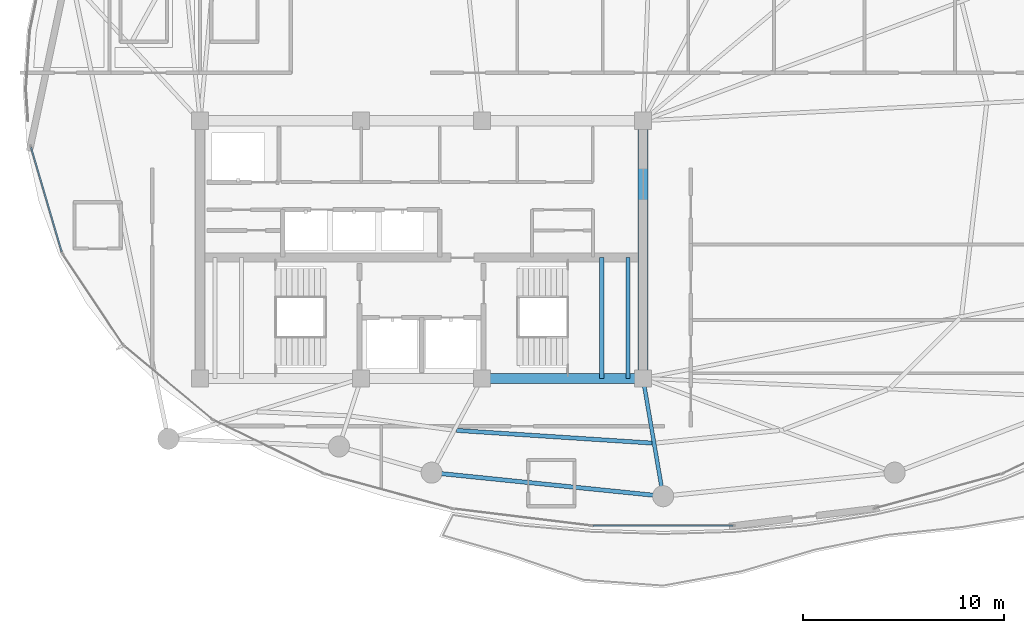
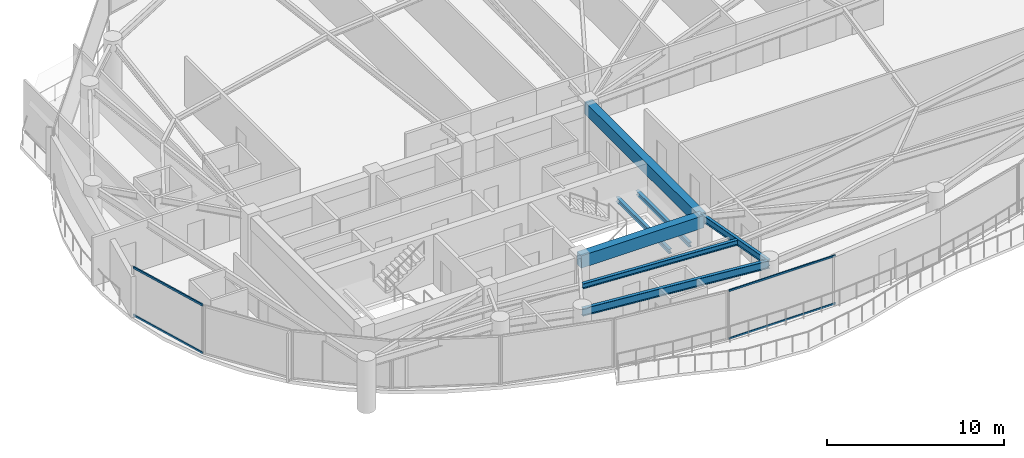
# One storey, part 6 of 29: 7 beams, 4 members, 2 elements without a shape of their own.
"""IFC4 building model written with IfcOpenShell, lengths in metres."""

import ifcopenshell
import ifcopenshell.guid

model = None  # the IFC model being written
_history = None  # IfcOwnerHistory: only IFC2X3 demands one
_inside = {}  # id of a spatial element -> (the spatial element, [elements in it])
_under = {}  # id of a project, library or spatial element -> (it, [spatial elements below it])
_declared = {}  # id of a project -> (the project, [libraries it declares])
_typed = {}  # id of a type object -> (the type object, [elements of that type])
_made_of = {}  # id of a material, layer set ... -> (it, [elements and type objects made of it])


def new_model(schema):
    """Start an empty IFC model of exactly this schema.

    Asked for "IFC4X3", IfcOpenShell would pick the latest addendum, in which some entities
    have other attributes; the version numbers below select the first issue.
    IFC2X3 requires an IfcOwnerHistory on every rooted entity: one is made here for all.
    """
    global model, _history
    if schema == "IFC4X3":
        model = ifcopenshell.file(schema_version=(4, 3, 0, 0))
    else:
        model = ifcopenshell.file(schema=schema)
    _inside.clear()
    _under.clear()
    _declared.clear()
    _typed.clear()
    _made_of.clear()
    _history = None
    if model.schema == "IFC2X3":
        org = make("IfcOrganization", Name="unknown")
        user = make(
            "IfcPersonAndOrganization",
            ThePerson=make("IfcPerson", FamilyName="unknown"),
            TheOrganization=org,
        )
        app = make(
            "IfcApplication",
            ApplicationDeveloper=org,
            Version="unknown",
            ApplicationFullName="unknown",
            ApplicationIdentifier="unknown",
        )
        _history = make(
            "IfcOwnerHistory",
            OwningUser=user,
            OwningApplication=app,
            ChangeAction="ADDED",
            CreationDate=0,
        )
    return model


def make(cls, **values):
    """One entity of the class cls with the attributes given. An attribute that is None is left unset."""
    return model.create_entity(
        cls, **{name: value for name, value in values.items() if value is not None}
    )


def rooted(cls, **values):
    """An entity with a GlobalId (a new one), such as an element, a storey or a relation."""
    return make(cls, GlobalId=ifcopenshell.guid.new(), OwnerHistory=_history, **values)


def si_unit(unit_type, name, prefix=None):
    """IfcSIUnit, for example si_unit("LENGTHUNIT", "METRE", prefix="MILLI")."""
    return make("IfcSIUnit", UnitType=unit_type, Prefix=prefix, Name=name)


def assignment(units):
    """IfcUnitAssignment: the units of a project."""
    return None if units is None else make("IfcUnitAssignment", Units=units)


def point(xyz):
    """IfcCartesianPoint."""
    return None if xyz is None else make("IfcCartesianPoint", Coordinates=xyz)


def direction(xyz):
    """IfcDirection."""
    return None if xyz is None else make("IfcDirection", DirectionRatios=xyz)


def frame(location, z_axis=None, x_axis=None):
    """IfcAxis2Placement3D, a coordinate frame: its origin and axes. An axis left out is left unset."""
    return make(
        "IfcAxis2Placement3D",
        Location=point(location),
        Axis=direction(z_axis),
        RefDirection=direction(x_axis),
    )


def frame_2d(location, x_axis=None):
    """IfcAxis2Placement2D, a coordinate frame in the plane: its origin and x axis."""
    return make(
        "IfcAxis2Placement2D", Location=point(location), RefDirection=direction(x_axis)
    )


def origin():
    """The frame at (0, 0, 0) with its axes left unset."""
    return frame((0.0, 0.0, 0.0))


def origin_2d():
    """The frame at (0, 0) in the plane with its x axis left unset."""
    return frame_2d((0.0, 0.0))


def place(relative_to, where):
    """IfcLocalPlacement: puts the frame where relative to a parent placement (None: the world)."""
    return make(
        "IfcLocalPlacement", PlacementRelTo=relative_to, RelativePlacement=where
    )


def context(
    kind, dimensions, precision=None, world=None, true_north=None, identifier=None
):
    """IfcGeometricRepresentationContext, for example the 3D "Model" context."""
    return make(
        "IfcGeometricRepresentationContext",
        ContextIdentifier=identifier,
        ContextType=kind,
        CoordinateSpaceDimension=dimensions,
        Precision=precision,
        WorldCoordinateSystem=world,
        TrueNorth=true_north,
    )


def subcontext(parent, identifier, kind, view, scale=None):
    """IfcGeometricRepresentationSubContext, for example "Body" below "Model"."""
    return make(
        "IfcGeometricRepresentationSubContext",
        ContextIdentifier=identifier,
        ContextType=kind,
        ParentContext=parent,
        TargetScale=scale,
        TargetView=view,
    )


def project(units=None, contexts=None):
    """IfcProject with its units and contexts."""
    return rooted(
        "IfcProject",
        Name="project",
        RepresentationContexts=contexts,
        UnitsInContext=assignment(units),
    )


def spatial(cls, under=None, at=None, **own):
    """A site, building, storey or space (cls), placed at a placement, below another one or the project."""
    s = rooted(cls, ObjectPlacement=at, **own)
    if under is not None:
        _under.setdefault(under.id(), (under, []))[1].append(s)
    return s


def profile(cls, at=None, kind="AREA", **sizes):
    """A parametric profile (cls). Its sizes go by their IFC names, for example OverallWidth=200.0."""
    return make(cls, ProfileType=kind, Position=at, **sizes)


def rectangle(**sizes):
    """IfcRectangleProfileDef."""
    return profile("IfcRectangleProfileDef", **sizes)


def hollow_rectangle(**sizes):
    """IfcRectangleHollowProfileDef."""
    return profile("IfcRectangleHollowProfileDef", **sizes)


def i_section(**sizes):
    """IfcIShapeProfileDef."""
    return profile("IfcIShapeProfileDef", **sizes)


def extrude(swept, where, along, depth):
    """IfcExtrudedAreaSolid: the profile swept, set in the frame where, extruded along a direction by depth."""
    return make(
        "IfcExtrudedAreaSolid",
        SweptArea=swept,
        Position=where,
        ExtrudedDirection=direction(along),
        Depth=depth,
    )


def shape(context_of_items, identifier, shape_type, items):
    """IfcShapeRepresentation: the items that make up one representation, for example the "Body"."""
    return make(
        "IfcShapeRepresentation",
        ContextOfItems=context_of_items,
        RepresentationIdentifier=identifier,
        RepresentationType=shape_type,
        Items=items,
    )


def material(Name=None, Category=None):
    """IfcMaterial."""
    return make("IfcMaterial", Name=Name, Category=Category)


def layer(
    of_material, thickness, ventilated=None, Name=None, Category=None, Priority=None
):
    """IfcMaterialLayer: one layer of a wall or slab, of a material (None: an air gap)."""
    return make(
        "IfcMaterialLayer",
        Material=of_material,
        LayerThickness=thickness,
        IsVentilated=ventilated,
        Name=Name,
        Category=Category,
        Priority=Priority,
    )


def layer_set(layers, Name=None):
    """IfcMaterialLayerSet."""
    return make("IfcMaterialLayerSet", MaterialLayers=layers, LayerSetName=Name)


def material_profile(
    of_material, cross_section, Name=None, Category=None, Priority=None
):
    """IfcMaterialProfile: a cross section and its material."""
    return make(
        "IfcMaterialProfile",
        Name=Name,
        Material=of_material,
        Profile=cross_section,
        Priority=Priority,
        Category=Category,
    )


def profile_set(profiles, Name=None, composite=None):
    """IfcMaterialProfileSet."""
    return make(
        "IfcMaterialProfileSet",
        Name=Name,
        MaterialProfiles=profiles,
        CompositeProfile=composite,
    )


def made_of(thing, what):
    """Note that an element or type object is made of a material, layer set ...; save() writes the relation."""
    if what is not None:
        _made_of.setdefault(what.id(), (what, []))[1].append(thing)
    return thing


def type_object(cls, material=None, **own):
    """A type object (cls), such as IfcWallType, which elements share."""
    return made_of(rooted(cls, **own), material)


def element(
    cls,
    number,
    at=None,
    inside=None,
    cuts=None,
    type_object=None,
    material=None,
    context=None,
    identifier="Body",
    shape_type=None,
    held_by="IfcProductDefinitionShape",
    body=None,
    shapes=None,
    **own,
):
    """One element of the class cls, such as IfcWall. Its Tag is "e" and its number.

    at: its placement. inside: the storey or other place that contains it. cuts: it is an
    opening in that element (IfcRelVoidsElement). A single representation is given by context,
    identifier, shape_type and body (its items); several are given by shapes. held_by: the class
    of the entity that holds the representations. save() writes the other relations.
    """
    e = rooted(cls, Tag="e%d" % number, ObjectPlacement=at, **own)
    if body is not None:
        shapes = [shape(context, identifier, shape_type, body)]
    if shapes is not None:
        e.Representation = make(held_by, Representations=shapes)
    if inside is not None:
        _inside.setdefault(inside.id(), (inside, []))[1].append(e)
    if cuts is not None:
        rooted(
            "IfcRelVoidsElement", RelatingBuildingElement=cuts, RelatedOpeningElement=e
        )
    if type_object is not None:
        _typed.setdefault(type_object.id(), (type_object, []))[1].append(e)
    return made_of(e, material)


def aggregate(whole, parts):
    """IfcRelAggregates: a whole, such as a stair, and the parts it consists of."""
    return rooted("IfcRelAggregates", RelatingObject=whole, RelatedObjects=parts)


def save(model, path):
    """Write the relations noted so far, then the file.

    IfcRelAggregates (storeys below a building ...), IfcRelContainedInSpatialStructure (elements
    in a storey), IfcRelDefinesByType, IfcRelAssociatesMaterial and IfcRelDeclares: one each for
    every whole, place, type object, material and project.
    """
    for whole, parts in _under.values():
        aggregate(whole, parts)
    for where, things in _inside.values():
        rooted(
            "IfcRelContainedInSpatialStructure",
            RelatedElements=things,
            RelatingStructure=where,
        )
    for kind, things in _typed.values():
        rooted("IfcRelDefinesByType", RelatedObjects=things, RelatingType=kind)
    for what, things in _made_of.values():
        rooted("IfcRelAssociatesMaterial", RelatedObjects=things, RelatingMaterial=what)
    for by, libraries in _declared.values():
        rooted("IfcRelDeclares", RelatingContext=by, RelatedDefinitions=libraries)
    model.write(path)


model = new_model("IFC4")

# Units and contexts
model_context = context("Model", 3, precision=1e-05, world=origin(), true_north=direction((0.0, 1.0)))
body_context = subcontext(model_context, "Body", "Model", "MODEL_VIEW")
ifc_project = project(units=[si_unit("LENGTHUNIT", "METRE"), si_unit("AREAUNIT", "SQUARE_METRE"), si_unit("VOLUMEUNIT", "CUBIC_METRE"), si_unit("PLANEANGLEUNIT", "RADIAN"), si_unit("MASSUNIT", "GRAM", prefix="KILO")], contexts=[model_context])

# Site, building, storey
site_placement = place(None, origin())
site = spatial("IfcSite", under=ifc_project, at=site_placement, CompositionType="ELEMENT")
building_placement = place(site_placement, origin())
building = spatial("IfcBuilding", under=site, at=building_placement, Name="Kazevale Care Tower and Concert Hall", CompositionType="ELEMENT")
storey_placement = place(building_placement, frame((0.0, 0.0, 224.39990234375)))
storey = spatial("IfcBuildingStorey", under=building, at=storey_placement, Name="L59", CompositionType="ELEMENT", Elevation=224.39990234375)

# Curtain wall, members
ifc_material_1 = material(Name="Aluminium 6063-T6 and Low-E Glass", Category="aluminium")
ifc_layer_1 = layer(ifc_material_1, 0.179931640625)
ifc_layer_set_1 = layer_set([ifc_layer_1], Name="Aluminium 6063-T6 and Low-E Glass")
curtain_wall_type_1 = type_object("IfcCurtainWallType", Name="Waist & Upper Residential Curtain Wall CW-4", PredefinedType="NOTDEFINED", material=ifc_layer_set_1)
curtain_wall_1_placement = place(storey_placement, origin())
curtain_wall_1 = element("IfcCurtainWall", 1, at=curtain_wall_1_placement, inside=storey, type_object=curtain_wall_type_1, Name="cw:L59:f12", PredefinedType="NOTDEFINED")
ifc_material_2 = material(Name="Aluminium 6063-T6", Category="aluminium")
ifc_material_profile_1 = material_profile(ifc_material_2, hollow_rectangle(XDim=0.080078125, YDim=0.139892578125, WallThickness=0.00390625, at=origin_2d()), Name="ALU80x140x4")
ifc_profile_set_1 = profile_set([ifc_material_profile_1], Name="Aluminium 6063-T6")
member_type_1 = type_object("IfcMemberType", Name="CW-4 Transom ALU80x140x4", PredefinedType="USERDEFINED", material=ifc_profile_set_1)
member_1_placement = place(storey_placement, frame((15.12548828125, 29.897705078125, 0.0400390625), z_axis=(-0.282102705943, 0.95938421047, 0.0), x_axis=(-0.95938421047, -0.282102705943, 0.0)))
member_1 = element("IfcMember", 2, at=member_1_placement, type_object=member_type_1, Name="CW-4 transom 1.1", ObjectType="TRANSOM", PredefinedType="USERDEFINED", context=body_context, shape_type="SweptSolid", body=[
    extrude(hollow_rectangle(XDim=0.080078125, YDim=0.139892578125, WallThickness=0.00390625, at=origin_2d()), origin(), (0.0, 0.0, 1.0), 5.402099609375),
])
member_2_placement = place(storey_placement, frame((15.12548828125, 29.897705078125, 3.320068359375), z_axis=(-0.282102705943, 0.95938421047, 0.0), x_axis=(-0.95938421047, -0.282102705943, 0.0)))
member_2 = element("IfcMember", 3, at=member_2_placement, type_object=member_type_1, Name="CW-4 transom 1.2", ObjectType="TRANSOM", PredefinedType="USERDEFINED", context=body_context, shape_type="SweptSolid", body=[
    extrude(hollow_rectangle(XDim=0.080078125, YDim=0.139892578125, WallThickness=0.00390625, at=origin_2d()), origin(), (0.0, 0.0, 1.0), 5.402099609375),
])
aggregate(curtain_wall_1, [member_1, member_2])

ifc_layer_2 = layer(ifc_material_1, 0.179931640625)
ifc_layer_set_2 = layer_set([ifc_layer_2], Name="Aluminium 6063-T6 and Low-E Glass")
curtain_wall_type_2 = type_object("IfcCurtainWallType", Name="Sheltered Concave Balcony Curtain Wall CW-5", PredefinedType="NOTDEFINED", material=ifc_layer_set_2)
curtain_wall_2_placement = place(storey_placement, origin())
curtain_wall_2 = element("IfcCurtainWall", 4, at=curtain_wall_2_placement, inside=storey, type_object=curtain_wall_type_2, Name="cw:L59:f06", PredefinedType="NOTDEFINED")
ifc_material_profile_2 = material_profile(ifc_material_2, hollow_rectangle(XDim=0.074951171875, YDim=0.1201171875, WallThickness=0.00390625, at=origin_2d()), Name="ALU75x120x4")
ifc_profile_set_2 = profile_set([ifc_material_profile_2], Name="Aluminium 6063-T6")
member_type_2 = type_object("IfcMemberType", Name="CW-5 Transom ALU75x120x4", PredefinedType="USERDEFINED", material=ifc_profile_set_2)
member_3_placement = place(storey_placement, frame((48.47509765625, 16.284912109375, 0.03759765625), z_axis=(-1.0, 0.0, 0.0), x_axis=(0.0, -1.0, 0.0)))
member_3 = element("IfcMember", 5, at=member_3_placement, type_object=member_type_2, Name="CW-5 transom 1.1", ObjectType="TRANSOM", PredefinedType="USERDEFINED", context=body_context, shape_type="SweptSolid", body=[
    extrude(hollow_rectangle(XDim=0.074951171875, YDim=0.1201171875, WallThickness=0.00390625, at=origin_2d()), origin(), (0.0, 0.0, 1.0), 6.9501953125),
])
member_4_placement = place(storey_placement, frame((48.47509765625, 16.284912109375, 3.322509765625), z_axis=(-1.0, 0.0, 0.0), x_axis=(0.0, -1.0, 0.0)))
member_4 = element("IfcMember", 6, at=member_4_placement, type_object=member_type_2, Name="CW-5 transom 1.2", ObjectType="TRANSOM", PredefinedType="USERDEFINED", context=body_context, shape_type="SweptSolid", body=[
    extrude(hollow_rectangle(XDim=0.074951171875, YDim=0.1201171875, WallThickness=0.00390625, at=origin_2d()), origin(), (0.0, 0.0, 1.0), 6.9501953125),
])
aggregate(curtain_wall_2, [member_3, member_4])

# Beams
ifc_material_3 = material(Name="Concrete C60", Category="concrete")
ifc_material_profile_3 = material_profile(ifc_material_3, rectangle(XDim=0.5, YDim=0.85009765625, at=origin_2d()), Name="RC-B500x850")
ifc_profile_set_3 = profile_set([ifc_material_profile_3], Name="Concrete C60")
beam_type_1 = type_object("IfcBeamType", Name="Core Coupling Beam RC500x850", PredefinedType="LINTEL", material=ifc_profile_set_3)
beam_1_placement = place(storey_placement, frame((36.0, 23.60009765625, 2.93505859375), z_axis=(1.0, 0.0, 0.0), x_axis=(0.0, 1.0, 0.0)))
element("IfcBeam", 7, at=beam_1_placement, inside=storey, type_object=beam_type_1, Name="beam:L59:coretie:3", PredefinedType="LINTEL", context=body_context, shape_type="SweptSolid", body=[
    extrude(rectangle(XDim=0.5, YDim=0.85009765625, at=origin_2d()), origin(), (0.0, 0.0, 1.0), 8.0),
])
beam_2_placement = place(storey_placement, frame((44.0, 23.60009765625, 2.93505859375), z_axis=(0.0, 1.0, 0.0), x_axis=(-1.0, 0.0, 0.0)))
element("IfcBeam", 8, at=beam_2_placement, inside=storey, type_object=beam_type_1, Name="beam:L59:coretie:4", PredefinedType="LINTEL", context=body_context, shape_type="SweptSolid", body=[
    extrude(rectangle(XDim=0.5, YDim=0.85009765625, at=origin_2d()), origin(), (0.0, 0.0, 1.0), 12.7998046875),
])
ifc_material_4 = material(Name="Steel ASTM A572 Gr 50", Category="steel")
ifc_material_profile_4 = material_profile(ifc_material_4, i_section(OverallWidth=0.19091796875, OverallDepth=0.4599609375, WebThickness=0.010009765625, FlangeThickness=0.01611328125, at=origin_2d()), Name="W460x82")
ifc_profile_set_4 = profile_set([ifc_material_profile_4], Name="Steel ASTM A572 Gr 50")
beam_type_2 = type_object("IfcBeamType", Name="Radial Floor Beam W460x82", PredefinedType="BEAM", material=ifc_profile_set_4)
beam_3_placement = place(storey_placement, frame((44.0, 23.60009765625, 3.130126953125), z_axis=(0.168493389607, -0.985702783631, 0.0), x_axis=(0.985702783631, 0.168493389607, 0.0)))
element("IfcBeam", 9, at=beam_3_placement, inside=storey, type_object=beam_type_2, Name="beam:L59:rad:13", PredefinedType="BEAM", context=body_context, shape_type="SweptSolid", body=[
    extrude(i_section(OverallWidth=0.19091796875, OverallDepth=0.4599609375, WebThickness=0.010009765625, FlangeThickness=0.01611328125, at=origin_2d()), origin(), (0.0, 0.0, 1.0), 5.93505859375),
])
ifc_material_profile_5 = material_profile(ifc_material_4, i_section(OverallWidth=0.205078125, OverallDepth=0.35400390625, WebThickness=0.009521484375, FlangeThickness=0.016845703125, at=origin_2d()), Name="W360x79")
ifc_profile_set_5 = profile_set([ifc_material_profile_5], Name="Steel ASTM A572 Gr 50")
beam_type_3 = type_object("IfcBeamType", Name="Secondary Floor Joist W360x79", PredefinedType="JOIST", material=ifc_profile_set_5)
beam_4_placement = place(storey_placement, frame((34.72998046875, 21.01904296875, 3.18310546875), z_axis=(0.997903161374, -0.064724651559, 0.0), x_axis=(0.064724651559, 0.997903161374, 0.0)))
element("IfcBeam", 10, at=beam_4_placement, inside=storey, type_object=beam_type_3, Name="beam:L59:joist:12", PredefinedType="JOIST", context=body_context, shape_type="SweptSolid", body=[
    extrude(i_section(OverallWidth=0.205078125, OverallDepth=0.35400390625, WebThickness=0.009521484375, FlangeThickness=0.016845703125, at=origin_2d()), origin(), (0.0, 0.0, 1.0), 9.735595703125),
])
ifc_material_profile_6 = material_profile(ifc_material_4, i_section(OverallWidth=0.202880859375, OverallDepth=0.302978515625, WebThickness=0.007568359375, FlangeThickness=0.01318359375, at=origin_2d()), Name="W310x60")
ifc_profile_set_6 = profile_set([ifc_material_profile_6], Name="Steel ASTM A572 Gr 50")
beam_type_4 = type_object("IfcBeamType", Name="Stair & Balcony Trimmer W310x60", PredefinedType="BEAM", material=ifc_profile_set_6)
for number, where, z_axis, x_axis, name in (
    (11, (41.949951171875, 23.60009765625, 1.448486328125), (0.0, 1.0, 0.0), (-1.0, 0.0, 0.0), "beam:L59:sttrim:ST2"),
    (12, (43.25, 23.60009765625, 1.448486328125), (0.0, 1.0, 0.0), (-1.0, 0.0, 0.0), "beam:L59:sttrim:ST2b"),
):
    element("IfcBeam", number, at=place(storey_placement, frame(where, z_axis=z_axis, x_axis=x_axis)), inside=storey, type_object=beam_type_4, Name=name, PredefinedType="BEAM", context=body_context, shape_type="SweptSolid", body=[
        extrude(i_section(OverallWidth=0.202880859375, OverallDepth=0.302978515625, WebThickness=0.007568359375, FlangeThickness=0.01318359375, at=origin_2d()), origin(), (0.0, 0.0, 1.0), 6.0),
    ])
ifc_material_profile_7 = material_profile(ifc_material_4, i_section(OverallWidth=0.208984375, OverallDepth=0.532958984375, WebThickness=0.01025390625, FlangeThickness=0.015625, at=origin_2d()), Name="W530x92")
ifc_profile_set_7 = profile_set([ifc_material_profile_7], Name="Steel ASTM A572 Gr 50")
beam_type_5 = type_object("IfcBeamType", Name="Upper Ring Beam W530x92", PredefinedType="BEAM", material=ifc_profile_set_7)
beam_5_placement = place(storey_placement, frame((33.5, 18.919921875, 3.093505859375), z_axis=(0.994865089307, -0.101209950492, 0.0), x_axis=(0.101209950492, 0.994865089307, 0.0)))
element("IfcBeam", 13, at=beam_5_placement, inside=storey, type_object=beam_type_5, Name="beam:L59:ring:12", PredefinedType="BEAM", context=body_context, shape_type="SweptSolid", body=[
    extrude(i_section(OverallWidth=0.208984375, OverallDepth=0.532958984375, WebThickness=0.01025390625, FlangeThickness=0.015625, at=origin_2d()), origin(), (0.0, 0.0, 1.0), 11.559326171875),
])

save(model, "model.ifc")
